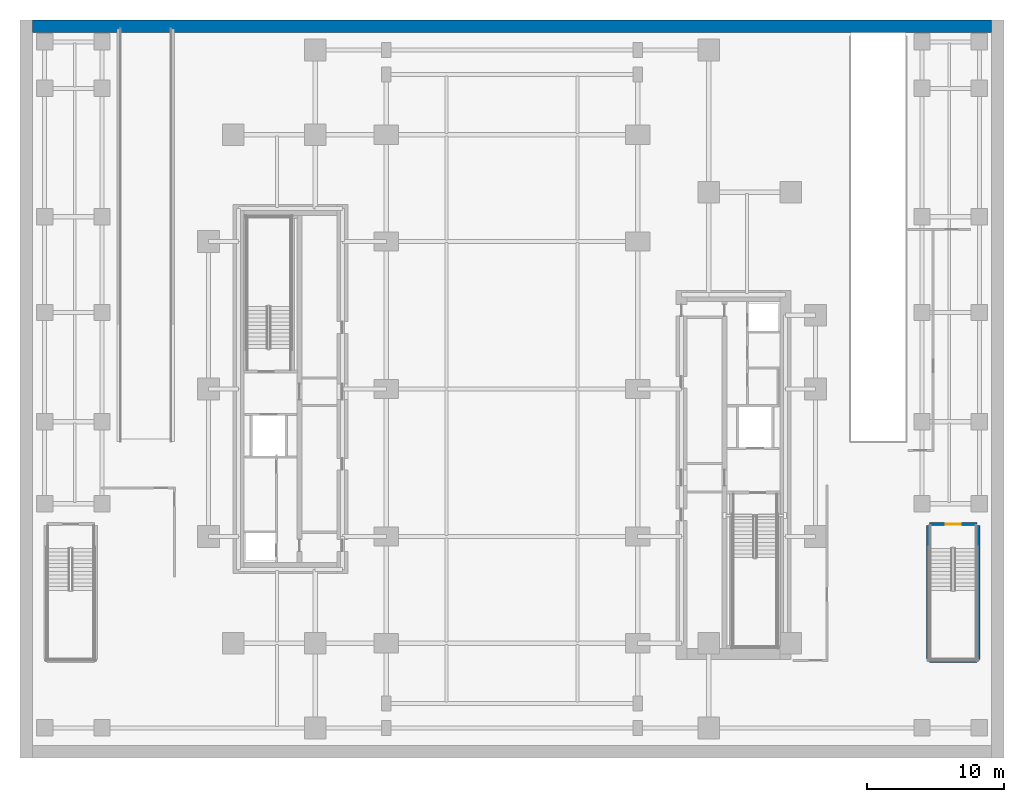
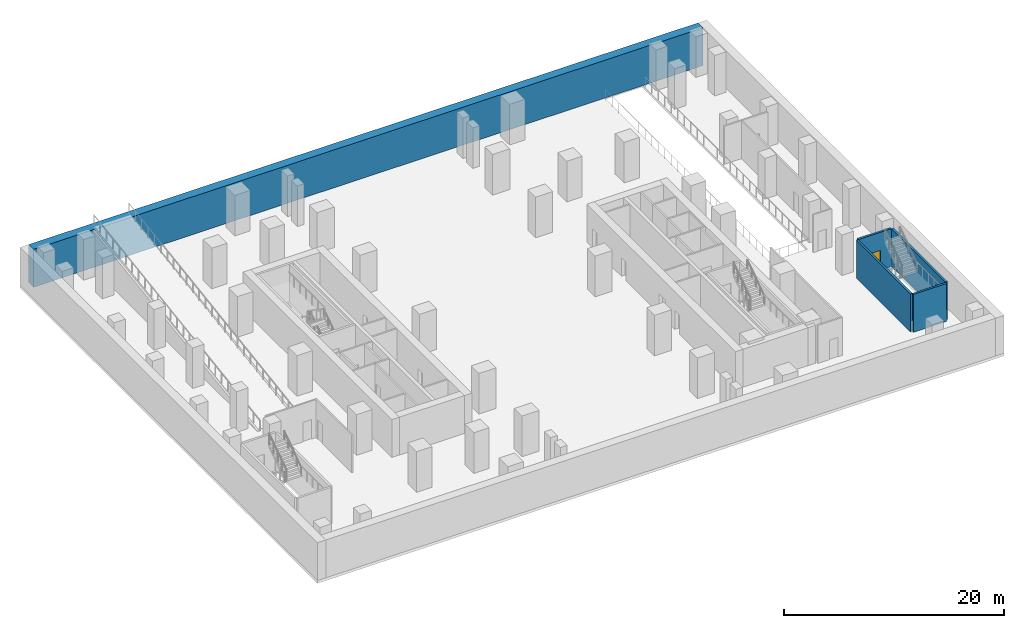
# One storey, part 7 of 14: 5 walls, 1 door, 1 opening.
"""IFC4 building model written with IfcOpenShell, lengths in metres."""

from ifc_helpers import new_model, si_unit, direction, frame, frame_2d, origin, place, context, subcontext, project, spatial, rectangle, extrude, material, layer, layer_set, type_object, element, fill, save


model = new_model("IFC4")

# Units and contexts
model_context = context("Model", 3, precision=1e-05, world=origin(), true_north=direction((0.0, 1.0)))
body_context = subcontext(model_context, "Body", "Model", "MODEL_VIEW")
ifc_project = project(units=[si_unit("LENGTHUNIT", "METRE"), si_unit("AREAUNIT", "SQUARE_METRE"), si_unit("VOLUMEUNIT", "CUBIC_METRE"), si_unit("PLANEANGLEUNIT", "RADIAN"), si_unit("MASSUNIT", "GRAM", prefix="KILO")], contexts=[model_context])

# Site, building, storey
site_placement = place(None, origin())
site = spatial("IfcSite", under=ifc_project, at=site_placement, CompositionType="ELEMENT")
building_placement = place(site_placement, origin())
building = spatial("IfcBuilding", under=site, at=building_placement, Name="Khairoan Windgate Tower", CompositionType="ELEMENT")
storey_placement = place(building_placement, frame((0.0, 0.0, -4.5)))
storey = spatial("IfcBuildingStorey", under=building, at=storey_placement, Name="B1", CompositionType="ELEMENT", Elevation=-4.5)

# Wall
ifc_material_1 = material(Name="Concrete C50/60", Category="concrete")
ifc_layer_1 = layer(ifc_material_1, 0.89990234375, Name="Concrete C50/60")
ifc_layer_set_1 = layer_set([ifc_layer_1], Name="Concrete C50/60")
wall_type_1 = type_object("IfcWallType", Name="Shear Wall DW-B1 900mm", PredefinedType="SHEAR", material=ifc_layer_set_1)
wall_1_placement = place(storey_placement, frame((-35.10009765625, 26.550048828125, 0.0), z_axis=(0.0, 0.0, 1.0), x_axis=(1.0, 0.0, 0.0)))
element("IfcWall", 1, at=wall_1_placement, inside=storey, type_object=wall_type_1, Name="North Diaphragm Wall B1", PredefinedType="SHEAR", context=body_context, shape_type="SweptSolid", body=[
    extrude(rectangle(XDim=70.2001953125, YDim=0.89990234375, at=frame_2d((35.10009765625, 0.0))), origin(), (0.0, 0.0, 1.0), 4.199951171875),
])

# Wall, opening, door
ifc_material_2 = material(Name="Concrete C50/60", Category="concrete")
ifc_layer_2 = layer(ifc_material_2, 0.219970703125, Name="Concrete C50/60")
ifc_layer_set_2 = layer_set([ifc_layer_2], Name="Concrete C50/60")
wall_type_2 = type_object("IfcWallType", Name="Shear Wall SW-ST 220mm", PredefinedType="SHEAR", material=ifc_layer_set_2)
wall_2_placement = place(storey_placement, frame((34.02001953125, -9.889892578125, 0.0), z_axis=(0.0, 0.0, 1.0), x_axis=(-1.0, 0.0, 0.0)))
wall_2 = element("IfcWall", 2, at=wall_2_placement, inside=storey, type_object=wall_type_2, Name="B1 ST3 North Bearing Wall", PredefinedType="SHEAR", context=body_context, shape_type="SweptSolid", body=[
    extrude(rectangle(XDim=3.469970703125, YDim=0.219970703125, at=frame_2d((1.73486328125, 0.0))), origin(), (0.0, 0.0, 1.0), 4.199951171875),
])
opening_placement = place(wall_2_placement, frame((1.179931640625, 0.0, 0.0)))
opening = element("IfcOpeningElement", 3, at=opening_placement, cuts=wall_2, Name="Opening FD-ST", PredefinedType="OPENING", context=body_context, shape_type="SweptSolid", body=[
    extrude(rectangle(XDim=1.10009765625, YDim=2.199951171875, at=frame_2d((0.550048828125, 1.10009765625))), frame((0.0, 0.119873046875, 0.0), z_axis=(0.0, -1.0, 0.0), x_axis=(1.0, 0.0, 0.0)), (0.0, 0.0, 1.0), 0.239990234375),
])
ifc_material_3 = material(Name="Steel S355", Category="steel")
door_type = type_object("IfcDoorType", Name="Smokeproof Stair Fire Door FD-ST 1100x2200", OperationType="NOTDEFINED", PredefinedType="DOOR", material=ifc_material_3)
door_placement = place(opening_placement, origin())
door = element("IfcDoor", 4, at=door_placement, inside=storey, type_object=door_type, Name="B1 Stair ST3 Fire Door", OperationType="SINGLE_SWING_LEFT", OverallHeight=2.199951171875, OverallWidth=1.10009765625, PredefinedType="DOOR", context=body_context, shape_type="SweptSolid", body=[
    extrude(rectangle(XDim=1.10009765625, YDim=2.199951171875, at=frame_2d((0.550048828125, 1.10009765625))), frame((0.0, 0.02490234375, 0.0), z_axis=(0.0, -1.0, 0.0), x_axis=(1.0, 0.0, 0.0)), (0.0, 0.0, 1.0), 0.050048828125),
])
fill(opening, door)

# Walls
wall_3_placement = place(storey_placement, frame((30.550048828125, -19.909912109375, 0.0), z_axis=(0.0, 0.0, 1.0), x_axis=(1.0, 0.0, 0.0)))
element("IfcWall", 5, at=wall_3_placement, inside=storey, type_object=wall_type_2, Name="B1 ST3 South Bearing Wall", PredefinedType="SHEAR", context=body_context, shape_type="SweptSolid", body=[
    extrude(rectangle(XDim=3.469970703125, YDim=0.219970703125, at=frame_2d((1.73486328125, 0.0))), origin(), (0.0, 0.0, 1.0), 4.199951171875),
])
for number, where, z_axis, x_axis, name in (
    (6, (30.43994140625, -19.800048828125, 0.0), (0.0, 0.0, 1.0), (0.0, 1.0, 0.0), "B1 ST3 West Bearing Wall"),
    (7, (34.1298828125, -19.800048828125, 0.0), (0.0, 0.0, 1.0), (0.0, 1.0, 0.0), "B1 ST3 East Bearing Wall"),
):
    element("IfcWall", number, at=place(storey_placement, frame(where, z_axis=z_axis, x_axis=x_axis)), inside=storey, type_object=wall_type_2, Name=name, PredefinedType="SHEAR", context=body_context, shape_type="SweptSolid", body=[
        extrude(rectangle(XDim=9.800048828125, YDim=0.219970703125, at=frame_2d((4.89990234375, 0.0))), origin(), (0.0, 0.0, 1.0), 4.199951171875),
    ])

save(model, "model.ifc")
